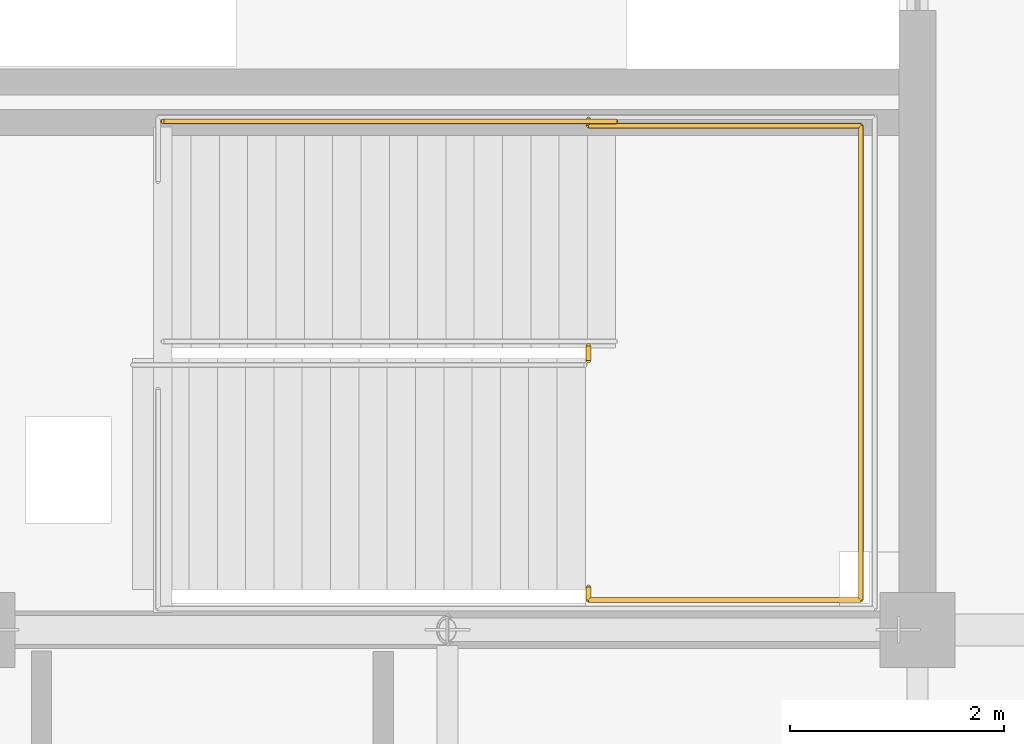
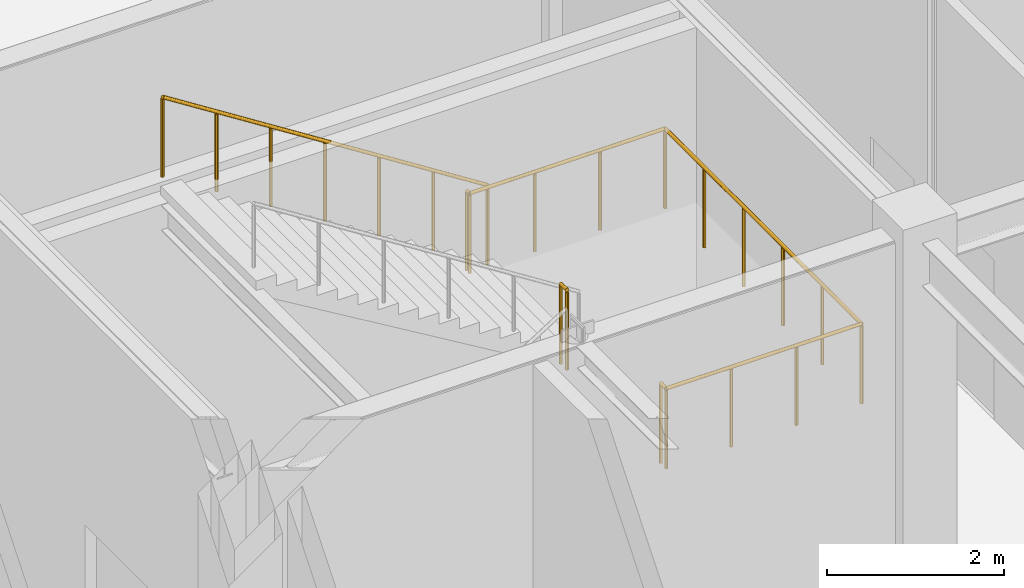
# One storey, part 107 of 119: 3 railings.
"""IFC4 building model written with IfcOpenShell, lengths in metres."""

import ifcopenshell
import ifcopenshell.guid

model = None  # the IFC model being written
_history = None  # IfcOwnerHistory: only IFC2X3 demands one
_inside = {}  # id of a spatial element -> (the spatial element, [elements in it])
_under = {}  # id of a project, library or spatial element -> (it, [spatial elements below it])
_declared = {}  # id of a project -> (the project, [libraries it declares])
_typed = {}  # id of a type object -> (the type object, [elements of that type])
_made_of = {}  # id of a material, layer set ... -> (it, [elements and type objects made of it])


def new_model(schema):
    """Start an empty IFC model of exactly this schema.

    Asked for "IFC4X3", IfcOpenShell would pick the latest addendum, in which some entities
    have other attributes; the version numbers below select the first issue.
    IFC2X3 requires an IfcOwnerHistory on every rooted entity: one is made here for all.
    """
    global model, _history
    if schema == "IFC4X3":
        model = ifcopenshell.file(schema_version=(4, 3, 0, 0))
    else:
        model = ifcopenshell.file(schema=schema)
    _inside.clear()
    _under.clear()
    _declared.clear()
    _typed.clear()
    _made_of.clear()
    _history = None
    if model.schema == "IFC2X3":
        org = make("IfcOrganization", Name="unknown")
        user = make(
            "IfcPersonAndOrganization",
            ThePerson=make("IfcPerson", FamilyName="unknown"),
            TheOrganization=org,
        )
        app = make(
            "IfcApplication",
            ApplicationDeveloper=org,
            Version="unknown",
            ApplicationFullName="unknown",
            ApplicationIdentifier="unknown",
        )
        _history = make(
            "IfcOwnerHistory",
            OwningUser=user,
            OwningApplication=app,
            ChangeAction="ADDED",
            CreationDate=0,
        )
    return model


def make(cls, **values):
    """One entity of the class cls with the attributes given. An attribute that is None is left unset."""
    return model.create_entity(
        cls, **{name: value for name, value in values.items() if value is not None}
    )


def rooted(cls, **values):
    """An entity with a GlobalId (a new one), such as an element, a storey or a relation."""
    return make(cls, GlobalId=ifcopenshell.guid.new(), OwnerHistory=_history, **values)


def si_unit(unit_type, name, prefix=None):
    """IfcSIUnit, for example si_unit("LENGTHUNIT", "METRE", prefix="MILLI")."""
    return make("IfcSIUnit", UnitType=unit_type, Prefix=prefix, Name=name)


def assignment(units):
    """IfcUnitAssignment: the units of a project."""
    return None if units is None else make("IfcUnitAssignment", Units=units)


def point(xyz):
    """IfcCartesianPoint."""
    return None if xyz is None else make("IfcCartesianPoint", Coordinates=xyz)


def direction(xyz):
    """IfcDirection."""
    return None if xyz is None else make("IfcDirection", DirectionRatios=xyz)


def frame(location, z_axis=None, x_axis=None):
    """IfcAxis2Placement3D, a coordinate frame: its origin and axes. An axis left out is left unset."""
    return make(
        "IfcAxis2Placement3D",
        Location=point(location),
        Axis=direction(z_axis),
        RefDirection=direction(x_axis),
    )


def frame_2d(location, x_axis=None):
    """IfcAxis2Placement2D, a coordinate frame in the plane: its origin and x axis."""
    return make(
        "IfcAxis2Placement2D", Location=point(location), RefDirection=direction(x_axis)
    )


def origin():
    """The frame at (0, 0, 0) with its axes left unset."""
    return frame((0.0, 0.0, 0.0))


def origin_2d():
    """The frame at (0, 0) in the plane with its x axis left unset."""
    return frame_2d((0.0, 0.0))


def place(relative_to, where):
    """IfcLocalPlacement: puts the frame where relative to a parent placement (None: the world)."""
    return make(
        "IfcLocalPlacement", PlacementRelTo=relative_to, RelativePlacement=where
    )


def context(
    kind, dimensions, precision=None, world=None, true_north=None, identifier=None
):
    """IfcGeometricRepresentationContext, for example the 3D "Model" context."""
    return make(
        "IfcGeometricRepresentationContext",
        ContextIdentifier=identifier,
        ContextType=kind,
        CoordinateSpaceDimension=dimensions,
        Precision=precision,
        WorldCoordinateSystem=world,
        TrueNorth=true_north,
    )


def subcontext(parent, identifier, kind, view, scale=None):
    """IfcGeometricRepresentationSubContext, for example "Body" below "Model"."""
    return make(
        "IfcGeometricRepresentationSubContext",
        ContextIdentifier=identifier,
        ContextType=kind,
        ParentContext=parent,
        TargetScale=scale,
        TargetView=view,
    )


def project(units=None, contexts=None):
    """IfcProject with its units and contexts."""
    return rooted(
        "IfcProject",
        Name="project",
        RepresentationContexts=contexts,
        UnitsInContext=assignment(units),
    )


def spatial(cls, under=None, at=None, **own):
    """A site, building, storey or space (cls), placed at a placement, below another one or the project."""
    s = rooted(cls, ObjectPlacement=at, **own)
    if under is not None:
        _under.setdefault(under.id(), (under, []))[1].append(s)
    return s


def profile(cls, at=None, kind="AREA", **sizes):
    """A parametric profile (cls). Its sizes go by their IFC names, for example OverallWidth=200.0."""
    return make(cls, ProfileType=kind, Position=at, **sizes)


def circle(**sizes):
    """IfcCircleProfileDef."""
    return profile("IfcCircleProfileDef", **sizes)


def extrude(swept, where, along, depth):
    """IfcExtrudedAreaSolid: the profile swept, set in the frame where, extruded along a direction by depth."""
    return make(
        "IfcExtrudedAreaSolid",
        SweptArea=swept,
        Position=where,
        ExtrudedDirection=direction(along),
        Depth=depth,
    )


def shape(context_of_items, identifier, shape_type, items):
    """IfcShapeRepresentation: the items that make up one representation, for example the "Body"."""
    return make(
        "IfcShapeRepresentation",
        ContextOfItems=context_of_items,
        RepresentationIdentifier=identifier,
        RepresentationType=shape_type,
        Items=items,
    )


def material(Name=None, Category=None):
    """IfcMaterial."""
    return make("IfcMaterial", Name=Name, Category=Category)


def made_of(thing, what):
    """Note that an element or type object is made of a material, layer set ...; save() writes the relation."""
    if what is not None:
        _made_of.setdefault(what.id(), (what, []))[1].append(thing)
    return thing


def type_object(cls, material=None, **own):
    """A type object (cls), such as IfcWallType, which elements share."""
    return made_of(rooted(cls, **own), material)


def element(
    cls,
    number,
    at=None,
    inside=None,
    cuts=None,
    type_object=None,
    material=None,
    context=None,
    identifier="Body",
    shape_type=None,
    held_by="IfcProductDefinitionShape",
    body=None,
    shapes=None,
    **own,
):
    """One element of the class cls, such as IfcWall. Its Tag is "e" and its number.

    at: its placement. inside: the storey or other place that contains it. cuts: it is an
    opening in that element (IfcRelVoidsElement). A single representation is given by context,
    identifier, shape_type and body (its items); several are given by shapes. held_by: the class
    of the entity that holds the representations. save() writes the other relations.
    """
    e = rooted(cls, Tag="e%d" % number, ObjectPlacement=at, **own)
    if body is not None:
        shapes = [shape(context, identifier, shape_type, body)]
    if shapes is not None:
        e.Representation = make(held_by, Representations=shapes)
    if inside is not None:
        _inside.setdefault(inside.id(), (inside, []))[1].append(e)
    if cuts is not None:
        rooted(
            "IfcRelVoidsElement", RelatingBuildingElement=cuts, RelatedOpeningElement=e
        )
    if type_object is not None:
        _typed.setdefault(type_object.id(), (type_object, []))[1].append(e)
    return made_of(e, material)


def aggregate(whole, parts):
    """IfcRelAggregates: a whole, such as a stair, and the parts it consists of."""
    return rooted("IfcRelAggregates", RelatingObject=whole, RelatedObjects=parts)


def save(model, path):
    """Write the relations noted so far, then the file.

    IfcRelAggregates (storeys below a building ...), IfcRelContainedInSpatialStructure (elements
    in a storey), IfcRelDefinesByType, IfcRelAssociatesMaterial and IfcRelDeclares: one each for
    every whole, place, type object, material and project.
    """
    for whole, parts in _under.values():
        aggregate(whole, parts)
    for where, things in _inside.values():
        rooted(
            "IfcRelContainedInSpatialStructure",
            RelatedElements=things,
            RelatingStructure=where,
        )
    for kind, things in _typed.values():
        rooted("IfcRelDefinesByType", RelatedObjects=things, RelatingType=kind)
    for what, things in _made_of.values():
        rooted("IfcRelAssociatesMaterial", RelatedObjects=things, RelatingMaterial=what)
    for by, libraries in _declared.values():
        rooted("IfcRelDeclares", RelatingContext=by, RelatedDefinitions=libraries)
    model.write(path)


model = new_model("IFC4")

# Units and contexts
model_context = context("Model", 3, precision=1e-05, world=origin(), true_north=direction((0.0, 1.0)))
body_context = subcontext(model_context, "Body", "Model", "MODEL_VIEW")
ifc_project = project(units=[si_unit("LENGTHUNIT", "METRE"), si_unit("AREAUNIT", "SQUARE_METRE"), si_unit("VOLUMEUNIT", "CUBIC_METRE"), si_unit("PLANEANGLEUNIT", "RADIAN"), si_unit("MASSUNIT", "GRAM", prefix="KILO")], contexts=[model_context])

# Site, building, storey
site_placement = place(None, origin())
site = spatial("IfcSite", under=ifc_project, at=site_placement, CompositionType="ELEMENT")
building_placement = place(site_placement, origin())
building = spatial("IfcBuilding", under=site, at=building_placement, Name="Zhaolan Boulevard Law Courts", CompositionType="ELEMENT")
storey_placement = place(building_placement, origin())
storey = spatial("IfcBuildingStorey", under=building, at=storey_placement, Name="L00", CompositionType="ELEMENT", Elevation=0.0)

# Railings
ifc_material = material(Name="Powder-coated steel baluster guardrail", Category="steel")
railing_type = type_object("IfcRailingType", Name="STAIR WELL GUARDRAIL 1120", PredefinedType="GUARDRAIL", material=ifc_material)
railing_1_placement = place(storey_placement, frame((23.320068359375, 62.39990234375, 2.699951171875)))
element("IfcRailing", 1, at=railing_1_placement, inside=storey, type_object=railing_type, Name="Half-Landing Guardrail SG-ST02-L00-M", PredefinedType="GUARDRAIL", context=body_context, shape_type="SweptSolid", body=[
    extrude(circle(Radius=0.02392578125, at=origin_2d()), frame((0.0, 0.0, 1.09619140625), z_axis=(0.0, -1.0, 0.0), x_axis=(1.0, 0.0, 0.0)), (0.0, 0.0, 1.0), 0.119873046875),
    extrude(circle(Radius=0.02392578125, at=origin_2d()), frame((0.0, -0.119873046875, 1.09619140625), z_axis=(1.0, 0.0, 0.0), x_axis=(0.0, 1.0, 0.0)), (0.0, 0.0, 1.0), 2.550048828125),
    extrude(circle(Radius=0.02392578125, at=origin_2d()), frame((2.550048828125, -0.119873046875, 1.09619140625), z_axis=(0.0, 1.0, 0.0), x_axis=(-1.0, 0.0, 0.0)), (0.0, 0.0, 1.0), 4.43994140625),
    extrude(circle(Radius=0.02392578125, at=origin_2d()), frame((2.550048828125, 4.320068359375, 1.09619140625), z_axis=(-1.0, 0.0, 0.0), x_axis=(0.0, -1.0, 0.0)), (0.0, 0.0, 1.0), 2.550048828125),
    extrude(circle(Radius=0.02392578125, at=origin_2d()), frame((0.0, 4.320068359375, 1.09619140625), z_axis=(0.0, 1.0, 0.0), x_axis=(-1.0, 0.0, 0.0)), (0.0, 0.0, 1.0), 0.06005859375),
    extrude(circle(Radius=0.02099609375, at=origin_2d()), origin(), (0.0, 0.0, 1.0), 1.072021484375),
    extrude(circle(Radius=0.02099609375, at=origin_2d()), frame((0.0, -0.119873046875, 0.0)), (0.0, 0.0, 1.0), 1.072021484375),
    extrude(circle(Radius=0.02099609375, at=origin_2d()), frame((0.85009765625, -0.119873046875, 0.0)), (0.0, 0.0, 1.0), 1.072021484375),
    extrude(circle(Radius=0.02099609375, at=origin_2d()), frame((1.699951171875, -0.119873046875, 0.0)), (0.0, 0.0, 1.0), 1.072021484375),
    extrude(circle(Radius=0.02099609375, at=origin_2d()), frame((2.550048828125, -0.119873046875, 0.0)), (0.0, 0.0, 1.0), 1.072021484375),
    extrude(circle(Radius=0.02099609375, at=origin_2d()), frame((2.550048828125, 0.76806640625, 0.0)), (0.0, 0.0, 1.0), 1.072021484375),
    extrude(circle(Radius=0.02099609375, at=origin_2d()), frame((2.550048828125, 1.656005859375, 0.0)), (0.0, 0.0, 1.0), 1.072021484375),
    extrude(circle(Radius=0.02099609375, at=origin_2d()), frame((2.550048828125, 2.544189453125, 0.0)), (0.0, 0.0, 1.0), 1.072021484375),
    extrude(circle(Radius=0.02099609375, at=origin_2d()), frame((2.550048828125, 3.43212890625, 0.0)), (0.0, 0.0, 1.0), 1.072021484375),
    extrude(circle(Radius=0.02099609375, at=origin_2d()), frame((2.550048828125, 4.320068359375, 0.0)), (0.0, 0.0, 1.0), 1.072021484375),
    extrude(circle(Radius=0.02099609375, at=origin_2d()), frame((1.699951171875, 4.320068359375, 0.0)), (0.0, 0.0, 1.0), 1.072021484375),
    extrude(circle(Radius=0.02099609375, at=origin_2d()), frame((0.85009765625, 4.320068359375, 0.0)), (0.0, 0.0, 1.0), 1.072021484375),
    extrude(circle(Radius=0.02099609375, at=origin_2d()), frame((0.0, 4.320068359375, 0.0)), (0.0, 0.0, 1.0), 1.072021484375),
    extrude(circle(Radius=0.02099609375, at=origin_2d()), frame((0.0, 4.380126953125, 0.0)), (0.0, 0.0, 1.0), 1.072021484375),
])
railing_2_placement = place(storey_placement, frame((23.320068359375, 64.52001953125, 2.699951171875)))
element("IfcRailing", 2, at=railing_2_placement, inside=storey, type_object=railing_type, Name="Half-Landing Well Guardrail SG-ST02-L00-W", PredefinedType="GUARDRAIL", context=body_context, shape_type="SweptSolid", body=[
    extrude(circle(Radius=0.02392578125, at=origin_2d()), frame((0.0, 0.0, 1.09619140625), z_axis=(0.0, 1.0, 0.0), x_axis=(-1.0, 0.0, 0.0)), (0.0, 0.0, 1.0), 0.139892578125),
    extrude(circle(Radius=0.02099609375, at=origin_2d()), origin(), (0.0, 0.0, 1.0), 1.072021484375),
    extrude(circle(Radius=0.02099609375, at=origin_2d()), frame((0.0, 0.139892578125, 0.0)), (0.0, 0.0, 1.0), 1.072021484375),
])
railing_3_placement = place(storey_placement, frame((23.574951171875, 66.760009765625, 2.699951171875)))
element("IfcRailing", 3, at=railing_3_placement, inside=storey, type_object=railing_type, Name="Flight Guardrail SG-ST02-L00-F2", PredefinedType="GUARDRAIL", context=body_context, shape_type="SweptSolid", body=[
    extrude(circle(Radius=0.02392578125, at=origin_2d()), frame((0.0, 0.0, 1.09619140625), z_axis=(-0.843501457581, 0.0, 0.537126885437), x_axis=(0.0, -1.0, 0.0)), (0.0, 0.0, 1.0), 5.026611328125),
    extrude(circle(Radius=0.02099609375, at=origin_2d()), origin(), (0.0, 0.0, 1.0), 1.072021484375),
    extrude(circle(Radius=0.02099609375, at=origin_2d()), frame((-0.70654296875, 0.0, 0.449951171875)), (0.0, 0.0, 1.0), 1.072021484375),
    extrude(circle(Radius=0.02099609375, at=origin_2d()), frame((-1.413330078125, 0.0, 0.89990234375)), (0.0, 0.0, 1.0), 1.072021484375),
    extrude(circle(Radius=0.02099609375, at=origin_2d()), frame((-2.1201171875, 0.0, 1.35009765625)), (0.0, 0.0, 1.0), 1.072021484375),
    extrude(circle(Radius=0.02099609375, at=origin_2d()), frame((-2.82666015625, 0.0, 1.800048828125)), (0.0, 0.0, 1.0), 1.072021484375),
    extrude(circle(Radius=0.02099609375, at=origin_2d()), frame((-3.533203125, 0.0, 2.25)), (0.0, 0.0, 1.0), 1.072021484375),
    extrude(circle(Radius=0.02099609375, at=origin_2d()), frame((-4.239990234375, 0.0, 2.699951171875)), (0.0, 0.0, 1.0), 1.072021484375),
])

save(model, "model.ifc")
